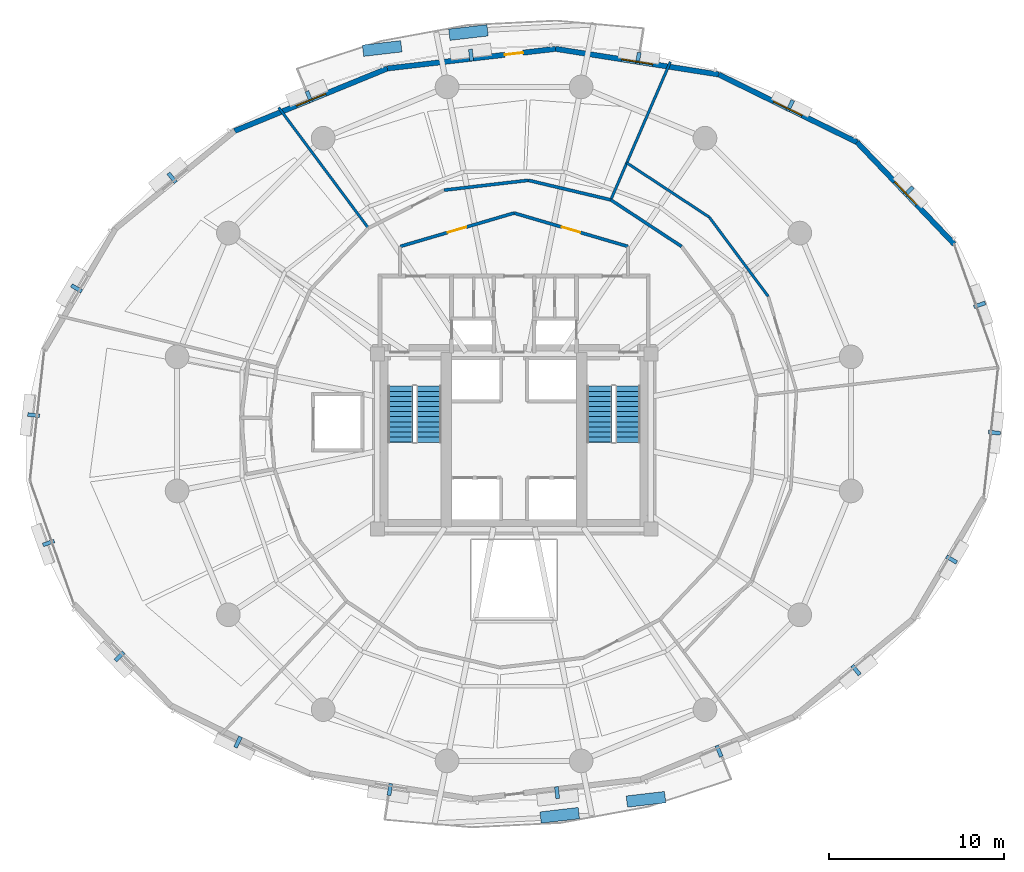
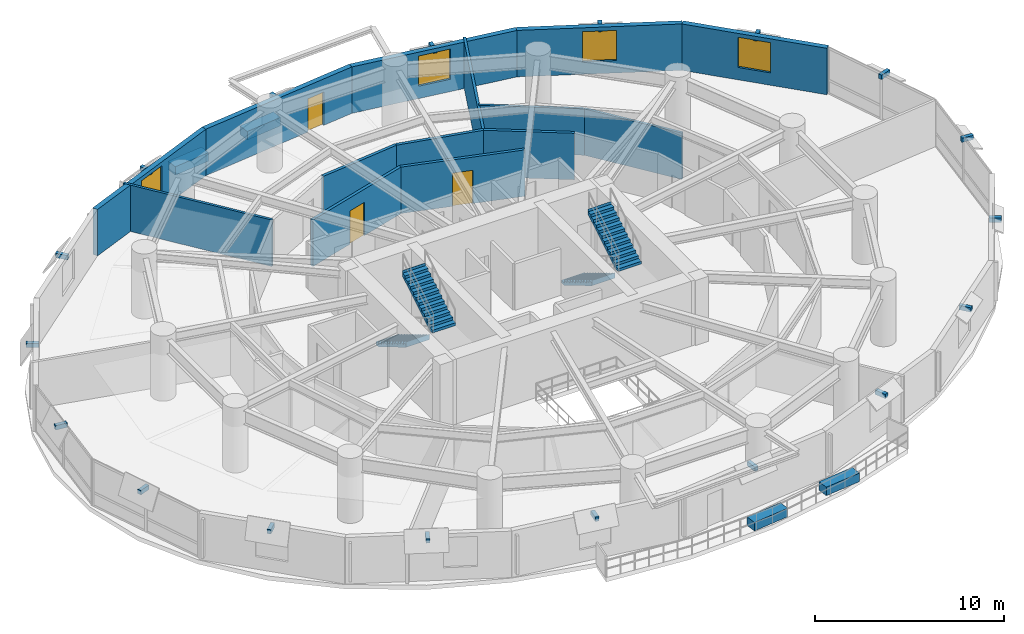
# One storey, part 14 of 17: 22 discrete accessories, 14 walls, 4 stair flights, 4 windows, 3 doors, 7 openings, 2 elements without a shape of their own.
"""IFC4 building model written with IfcOpenShell, lengths in metres."""

from ifc_helpers import new_model, si_unit, direction, frame, frame_2d, origin, origin_2d, place, context, subcontext, project, spatial, polyline, rectangle, outline, extrude, material, layer, layer_set, type_object, element, fill, aggregate, save


model = new_model("IFC4")

# Units and contexts
model_context = context("Model", 3, precision=1e-05, world=origin(), true_north=direction((0.0, 1.0)))
body_context = subcontext(model_context, "Body", "Model", "MODEL_VIEW")
ifc_project = project(units=[si_unit("LENGTHUNIT", "METRE"), si_unit("AREAUNIT", "SQUARE_METRE"), si_unit("VOLUMEUNIT", "CUBIC_METRE"), si_unit("PLANEANGLEUNIT", "RADIAN"), si_unit("MASSUNIT", "GRAM", prefix="KILO"), si_unit("THERMODYNAMICTEMPERATUREUNIT", "KELVIN"), si_unit("POWERUNIT", "WATT")], contexts=[model_context])

# Site, building, storey
site_placement = place(None, origin())
site = spatial("IfcSite", under=ifc_project, at=site_placement, CompositionType="ELEMENT")
building_placement = place(site_placement, origin())
building = spatial("IfcBuilding", under=site, at=building_placement, Name="Ocrelia Relay Tower", CompositionType="ELEMENT")
storey_placement = place(building_placement, frame((0.0, 0.0, 59.39990234375)))
storey = spatial("IfcBuildingStorey", under=building, at=storey_placement, Name="L13", CompositionType="ELEMENT", Elevation=59.39990234375)

# Wall, opening, door
ifc_material_1 = material(Name="Gypsum Fireboard Partition EI60", Category="gypsum")
ifc_layer_1 = layer(ifc_material_1, 0.179931640625, Name="Gypsum Fireboard Partition EI60")
ifc_layer_set_1 = layer_set([ifc_layer_1], Name="Gypsum Fireboard Partition EI60")
wall_type_1 = type_object("IfcWallType", Name="W-CORR-EI60-180", PredefinedType="PARTITIONING", material=ifc_layer_set_1)
wall_1_placement = place(storey_placement, frame((27.5, 36.122802734375, 0.0), z_axis=(0.0, 0.0, 1.0), x_axis=(0.959546654541, 0.281549671923, 0.0)))
wall_1 = element("IfcWall", 1, at=wall_1_placement, inside=storey, type_object=wall_type_1, Name="L13 North Smoke Lobby W Screen Wall", PredefinedType="PARTITIONING", context=body_context, shape_type="SweptSolid", body=[
    extrude(rectangle(XDim=6.77392578125, YDim=0.179931640625, at=frame_2d((3.386962890625, 0.0))), origin(), (0.0, 0.0, 1.0), 3.0),
])
opening_1_placement = place(wall_1_placement, frame((2.8369140625, 0.0, 0.0)))
opening_1 = element("IfcOpeningElement", 2, at=opening_1_placement, cuts=wall_1, Name="Opening D-FD60", PredefinedType="OPENING", context=body_context, shape_type="SweptSolid", body=[
    extrude(rectangle(XDim=1.10009765625, YDim=2.14990234375, at=frame_2d((0.550048828125, 1.074951171875))), frame((0.0, 0.10009765625, 0.0), z_axis=(0.0, -1.0, 0.0), x_axis=(1.0, 0.0, 0.0)), (0.0, 0.0, 1.0), 0.199951171875),
])
ifc_material_2 = material(Name="Timber-core 60-min acoustic fire door", Category="wood")
door_type_1 = type_object("IfcDoorType", Name="DR-LOBBY-FD60-1100", OperationType="NOTDEFINED", PredefinedType="DOOR", material=ifc_material_2)
door_1_placement = place(opening_1_placement, origin())
door_1 = element("IfcDoor", 3, at=door_1_placement, inside=storey, type_object=door_type_1, Name="L13 North Smoke Lobby W Fire Door", OperationType="SINGLE_SWING_RIGHT", OverallHeight=2.14990234375, OverallWidth=1.10009765625, PredefinedType="DOOR", context=body_context, shape_type="SweptSolid", body=[
    extrude(rectangle(XDim=1.10009765625, YDim=2.14990234375, at=frame_2d((0.550048828125, 1.074951171875))), frame((0.0, 0.02490234375, 0.0), z_axis=(0.0, -1.0, 0.0), x_axis=(1.0, 0.0, 0.0)), (0.0, 0.0, 1.0), 0.050048828125),
])
fill(opening_1, door_1)

wall_2_placement = place(storey_placement, frame((34.0, 38.030029296875, 0.0), z_axis=(0.0, 0.0, 1.0), x_axis=(0.959546654541, -0.281549671923, 0.0)))
wall_2 = element("IfcWall", 4, at=wall_2_placement, inside=storey, type_object=wall_type_1, Name="L13 North Smoke Lobby E Screen Wall", PredefinedType="PARTITIONING", context=body_context, shape_type="SweptSolid", body=[
    extrude(rectangle(XDim=6.77392578125, YDim=0.179931640625, at=frame_2d((3.386962890625, 0.0))), origin(), (0.0, 0.0, 1.0), 3.0),
])
opening_2_placement = place(wall_2_placement, frame((2.8369140625, 0.0, 0.0)))
opening_2 = element("IfcOpeningElement", 5, at=opening_2_placement, cuts=wall_2, Name="Opening D-FD60", PredefinedType="OPENING", context=body_context, shape_type="SweptSolid", body=[
    extrude(rectangle(XDim=1.10009765625, YDim=2.14990234375, at=frame_2d((0.550048828125, 1.074951171875))), frame((0.0, 0.10009765625, 0.0), z_axis=(0.0, -1.0, 0.0), x_axis=(1.0, 0.0, 0.0)), (0.0, 0.0, 1.0), 0.199951171875),
])
door_2_placement = place(opening_2_placement, origin())
door_2 = element("IfcDoor", 6, at=door_2_placement, inside=storey, type_object=door_type_1, Name="L13 North Smoke Lobby E Fire Door", OperationType="SINGLE_SWING_LEFT", OverallHeight=2.14990234375, OverallWidth=1.10009765625, PredefinedType="DOOR", context=body_context, shape_type="SweptSolid", body=[
    extrude(rectangle(XDim=1.10009765625, YDim=2.14990234375, at=frame_2d((0.550048828125, 1.074951171875))), frame((0.0, 0.02490234375, 0.0), z_axis=(0.0, -1.0, 0.0), x_axis=(1.0, 0.0, 0.0)), (0.0, 0.0, 1.0), 0.050048828125),
])
fill(opening_2, door_2)

# Walls
wall_3_placement = place(storey_placement, frame((43.555419921875, 36.122314453125, 0.0), z_axis=(0.0, 0.0, 1.0), x_axis=(-0.835329812405, 0.549749128701, 0.0)))
element("IfcWall", 7, at=wall_3_placement, inside=storey, type_object=wall_type_1, Name="L13 Staff Wellness Room Corridor Partition 3", PredefinedType="PARTITIONING", context=body_context, shape_type="SweptSolid", body=[
    extrude(rectangle(XDim=4.83447265625, YDim=0.179931640625, at=frame_2d((2.417236328125, 0.0))), origin(), (0.0, 0.0, 1.0), 3.0),
])
for number, where, z_axis, x_axis, name in (
    (8, (39.51708984375, 38.780029296875, 0.0), (0.0, 0.0, 1.0), (-0.97297826036, 0.230896740702, 0.0), "L13 Shift Staff Lounge Corridor Partition 1"),
    (9, (34.8134765625, 39.896240234375, 0.0), (0.0, 0.0, 1.0), (-0.99327243633, -0.115800981112, 0.0), "L13 Shift Staff Lounge Corridor Partition 2"),
):
    element("IfcWall", number, at=place(storey_placement, frame(where, z_axis=z_axis, x_axis=x_axis)), inside=storey, type_object=wall_type_1, Name=name, PredefinedType="PARTITIONING", context=body_context, shape_type="SweptSolid", body=[
        extrude(rectangle(XDim=4.834228515625, YDim=0.179931640625, at=frame_2d((2.4169921875, 0.0))), origin(), (0.0, 0.0, 1.0), 3.0),
    ])

# Wall, opening, window
ifc_material_3 = material(Name="Precast concrete C40/50 with oxide terracotta", Category="masonry")
ifc_layer_2 = layer(ifc_material_3, 0.300048828125, Name="Precast concrete C40/50 with oxide terracotta")
ifc_layer_set_2 = layer_set([ifc_layer_2], Name="Precast concrete C40/50 with oxide terracotta")
wall_type_2 = type_object("IfcWallType", Name="W-EXT-TERR-300", PredefinedType="SOLIDWALL", material=ifc_layer_set_2)
wall_4_placement = place(storey_placement, frame((59.10400390625, 36.26123046875, 0.0), z_axis=(0.0, 0.0, 1.0), x_axis=(-0.690246968725, 0.723573853982, 0.0)))
wall_4 = element("IfcWall", 10, at=wall_4_placement, inside=storey, type_object=wall_type_2, Name="L13 Oxide Terracotta Facade Wall 02", PredefinedType="SOLIDWALL", context=body_context, shape_type="SweptSolid", body=[
    extrude(rectangle(XDim=8.021484375, YDim=0.300048828125, at=frame_2d((4.0107421875, 0.0))), origin(), (0.0, 0.0, 1.0), 3.0),
])
opening_3_placement = place(wall_4_placement, frame((3.111083984375, 0.0, 0.800048828125)))
opening_3 = element("IfcOpeningElement", 11, at=opening_3_placement, cuts=wall_4, Name="Opening W-02", PredefinedType="OPENING", context=body_context, shape_type="SweptSolid", body=[
    extrude(rectangle(XDim=1.800048828125, YDim=1.949951171875, at=frame_2d((0.89990234375, 0.97509765625))), frame((0.0, 0.16015625, 0.0), z_axis=(0.0, -1.0, 0.0), x_axis=(1.0, 0.0, 0.0)), (0.0, 0.0, 1.0), 0.320068359375),
])
ifc_material_4 = material(Name="Clear double-glazed low-E glass", Category="glass")
window_type = type_object("IfcWindowType", Name="WIN-Z1-1800x2100", PartitioningType="DOUBLE_PANEL_VERTICAL", PredefinedType="WINDOW", material=ifc_material_4)
window_1_placement = place(opening_3_placement, origin())
window_1 = element("IfcWindow", 12, at=window_1_placement, inside=storey, type_object=window_type, Name="L13 Facade Module Window 02", OverallHeight=1.949951171875, OverallWidth=1.800048828125, PartitioningType="SINGLE_PANEL", PredefinedType="WINDOW", context=body_context, shape_type="SweptSolid", body=[
    extrude(rectangle(XDim=1.800048828125, YDim=1.949951171875, at=frame_2d((0.89990234375, 0.97509765625))), frame((0.0, 0.030029296875, 0.0), z_axis=(0.0, -1.0, 0.0), x_axis=(1.0, 0.0, 0.0)), (0.0, 0.0, 1.0), 0.06005859375),
])
fill(opening_3, window_1)

wall_5_placement = place(storey_placement, frame((53.567138671875, 42.0654296875, 0.0), z_axis=(0.0, 0.0, 1.0), x_axis=(-0.898122468158, 0.439745417475, 0.0)))
wall_5 = element("IfcWall", 13, at=wall_5_placement, inside=storey, type_object=wall_type_2, Name="L13 Oxide Terracotta Facade Wall 03", PredefinedType="SOLIDWALL", context=body_context, shape_type="SweptSolid", body=[
    extrude(rectangle(XDim=8.79248046875, YDim=0.300048828125, at=frame_2d((4.396240234375, 0.0))), origin(), (0.0, 0.0, 1.0), 3.0),
])
opening_4_placement = place(wall_5_placement, frame((3.49609375, 0.0, 0.800048828125)))
opening_4 = element("IfcOpeningElement", 14, at=opening_4_placement, cuts=wall_5, Name="Opening W-02", PredefinedType="OPENING", context=body_context, shape_type="SweptSolid", body=[
    extrude(rectangle(XDim=1.800048828125, YDim=1.949951171875, at=frame_2d((0.89990234375, 0.97509765625))), frame((0.0, 0.16015625, 0.0), z_axis=(0.0, -1.0, 0.0), x_axis=(1.0, 0.0, 0.0)), (0.0, 0.0, 1.0), 0.320068359375),
])
window_2_placement = place(opening_4_placement, origin())
window_2 = element("IfcWindow", 15, at=window_2_placement, inside=storey, type_object=window_type, Name="L13 Facade Module Window 03", OverallHeight=1.949951171875, OverallWidth=1.800048828125, PartitioningType="SINGLE_PANEL", PredefinedType="WINDOW", context=body_context, shape_type="SweptSolid", body=[
    extrude(rectangle(XDim=1.800048828125, YDim=1.949951171875, at=frame_2d((0.89990234375, 0.97509765625))), frame((0.0, 0.030029296875, 0.0), z_axis=(0.0, -1.0, 0.0), x_axis=(1.0, 0.0, 0.0)), (0.0, 0.0, 1.0), 0.06005859375),
])
fill(opening_4, window_2)

wall_6_placement = place(storey_placement, frame((45.67041015625, 45.931884765625, 0.0), z_axis=(0.0, 0.0, 1.0), x_axis=(-0.987873263645, 0.155262406833, 0.0)))
wall_6 = element("IfcWall", 16, at=wall_6_placement, inside=storey, type_object=wall_type_2, Name="L13 Oxide Terracotta Facade Wall 04", PredefinedType="SOLIDWALL", context=body_context, shape_type="SweptSolid", body=[
    extrude(rectangle(XDim=9.4189453125, YDim=0.300048828125, at=frame_2d((4.70947265625, 0.0))), origin(), (0.0, 0.0, 1.0), 3.0),
])
opening_5_placement = place(wall_6_placement, frame((3.80908203125, 0.0, 0.800048828125)))
opening_5 = element("IfcOpeningElement", 17, at=opening_5_placement, cuts=wall_6, Name="Opening W-02", PredefinedType="OPENING", context=body_context, shape_type="SweptSolid", body=[
    extrude(rectangle(XDim=1.800048828125, YDim=1.949951171875, at=frame_2d((0.89990234375, 0.97509765625))), frame((0.0, 0.16015625, 0.0), z_axis=(0.0, -1.0, 0.0), x_axis=(1.0, 0.0, 0.0)), (0.0, 0.0, 1.0), 0.320068359375),
])
window_3_placement = place(opening_5_placement, origin())
window_3 = element("IfcWindow", 18, at=window_3_placement, inside=storey, type_object=window_type, Name="L13 Facade Module Window 04", OverallHeight=1.949951171875, OverallWidth=1.800048828125, PartitioningType="SINGLE_PANEL", PredefinedType="WINDOW", context=body_context, shape_type="SweptSolid", body=[
    extrude(rectangle(XDim=1.800048828125, YDim=1.949951171875, at=frame_2d((0.89990234375, 0.97509765625))), frame((0.0, 0.030029296875, 0.0), z_axis=(0.0, -1.0, 0.0), x_axis=(1.0, 0.0, 0.0)), (0.0, 0.0, 1.0), 0.06005859375),
])
fill(opening_5, window_3)

# Wall, opening, door
wall_7_placement = place(storey_placement, frame((36.36572265625, 47.394287109375, 0.0), z_axis=(0.0, 0.0, 1.0), x_axis=(-0.993270898265, -0.115814172965, 0.0)))
wall_7 = element("IfcWall", 19, at=wall_7_placement, inside=storey, type_object=wall_type_2, Name="L13 Oxide Terracotta Facade Wall 05", PredefinedType="SOLIDWALL", context=body_context, shape_type="SweptSolid", body=[
    extrude(rectangle(XDim=9.65478515625, YDim=0.300048828125, at=frame_2d((4.827392578125, 0.0))), origin(), (0.0, 0.0, 1.0), 3.0),
])
opening_6_placement = place(wall_7_placement, frame((1.8701171875, 0.0, 0.0)))
opening_6 = element("IfcOpeningElement", 20, at=opening_6_placement, cuts=wall_7, Name="Opening DB-105", PredefinedType="OPENING", context=body_context, shape_type="SweptSolid", body=[
    extrude(rectangle(XDim=1.050048828125, YDim=2.14990234375, at=frame_2d((0.52490234375, 1.074951171875))), frame((0.0, 0.16015625, 0.0), z_axis=(0.0, -1.0, 0.0), x_axis=(1.0, 0.0, 0.0)), (0.0, 0.0, 1.0), 0.320068359375),
])
ifc_material_5 = material(Name="Thermally broken aluminium and clear glass", Category="aluminium")
door_type_2 = type_object("IfcDoorType", Name="DR-BALC-1050", OperationType="NOTDEFINED", PredefinedType="DOOR", material=ifc_material_5)
door_3_placement = place(opening_6_placement, origin())
door_3 = element("IfcDoor", 21, at=door_3_placement, inside=storey, type_object=door_type_2, Name="L13 Planted Loggia Balcony Door B1", OperationType="SINGLE_SWING_LEFT", OverallHeight=2.14990234375, OverallWidth=1.050048828125, PredefinedType="DOOR", context=body_context, shape_type="SweptSolid", body=[
    extrude(rectangle(XDim=1.050048828125, YDim=2.14990234375, at=frame_2d((0.52490234375, 1.074951171875))), frame((0.0, 0.02490234375, 0.0), z_axis=(0.0, -1.0, 0.0), x_axis=(1.0, 0.0, 0.0)), (0.0, 0.0, 1.0), 0.050048828125),
])
fill(opening_6, door_3)

# Wall, opening, window
wall_8_placement = place(storey_placement, frame((26.77587890625, 46.276123046875, 0.0), z_axis=(0.0, 0.0, 1.0), x_axis=(-0.925665413504, -0.378343154084, 0.0)))
wall_8 = element("IfcWall", 22, at=wall_8_placement, inside=storey, type_object=wall_type_2, Name="L13 Oxide Terracotta Facade Wall 06", PredefinedType="SOLIDWALL", context=body_context, shape_type="SweptSolid", body=[
    extrude(rectangle(XDim=9.418701171875, YDim=0.300048828125, at=frame_2d((4.70947265625, 0.0))), origin(), (0.0, 0.0, 1.0), 3.0),
])
opening_7_placement = place(wall_8_placement, frame((3.80908203125, 0.0, 0.800048828125)))
opening_7 = element("IfcOpeningElement", 23, at=opening_7_placement, cuts=wall_8, Name="Opening W-02", PredefinedType="OPENING", context=body_context, shape_type="SweptSolid", body=[
    extrude(rectangle(XDim=1.800048828125, YDim=1.949951171875, at=frame_2d((0.89990234375, 0.97509765625))), frame((0.0, 0.16015625, 0.0), z_axis=(0.0, -1.0, 0.0), x_axis=(1.0, 0.0, 0.0)), (0.0, 0.0, 1.0), 0.320068359375),
])
window_4_placement = place(opening_7_placement, origin())
window_4 = element("IfcWindow", 24, at=window_4_placement, inside=storey, type_object=window_type, Name="L13 Facade Module Window 06", OverallHeight=1.949951171875, OverallWidth=1.800048828125, PartitioningType="SINGLE_PANEL", PredefinedType="WINDOW", context=body_context, shape_type="SweptSolid", body=[
    extrude(rectangle(XDim=1.800048828125, YDim=1.949951171875, at=frame_2d((0.89990234375, 0.97509765625))), frame((0.0, 0.030029296875, 0.0), z_axis=(0.0, -1.0, 0.0), x_axis=(1.0, 0.0, 0.0)), (0.0, 0.0, 1.0), 0.06005859375),
])
fill(opening_7, window_4)

# Walls
ifc_material_6 = material(Name="Acoustic Fireboard Partition EI60", Category="gypsum")
ifc_layer_3 = layer(ifc_material_6, 0.14990234375, Name="Acoustic Fireboard Partition EI60")
ifc_layer_set_3 = layer_set([ifc_layer_3], Name="Acoustic Fireboard Partition EI60")
wall_type_3 = type_object("IfcWallType", Name="W-PART-150", PredefinedType="PARTITIONING", material=ifc_layer_set_3)
wall_9_placement = place(storey_placement, frame((39.51708984375, 38.780029296875, 0.0), z_axis=(0.0, 0.0, 1.0), x_axis=(0.396341092722, 0.918103337441, 0.0)))
element("IfcWall", 25, at=wall_9_placement, inside=storey, type_object=wall_type_3, Name="L13 Staff Wellness Room Radial Partition", PredefinedType="PARTITIONING", context=body_context, shape_type="SweptSolid", body=[
    extrude(rectangle(XDim=8.57275390625, YDim=0.14990234375, at=frame_2d((4.286376953125, 0.0))), origin(), (0.0, 0.0, 1.0), 3.0),
])
wall_10_placement = place(storey_placement, frame((48.496826171875, 33.275390625, 0.0), z_axis=(0.0, 0.0, 1.0), x_axis=(-0.596916709322, 0.802303210845, 0.0)))
element("IfcWall", 26, at=wall_10_placement, inside=storey, type_object=wall_type_3, Name="L13 Perimeter Staff Wellness Room Mid-Ring Partition 2", PredefinedType="PARTITIONING", context=body_context, shape_type="SweptSolid", body=[
    extrude(rectangle(XDim=5.63330078125, YDim=0.14990234375, at=frame_2d((2.816650390625, 0.0))), origin(), (0.0, 0.0, 1.0), 3.0),
])
wall_11_placement = place(storey_placement, frame((45.13427734375, 37.794921875, 0.0), z_axis=(0.0, 0.0, 1.0), x_axis=(-0.835342710948, 0.549729529193, 0.0)))
element("IfcWall", 27, at=wall_11_placement, inside=storey, type_object=wall_type_3, Name="L13 Perimeter Staff Wellness Room Mid-Ring Partition 3", PredefinedType="PARTITIONING", context=body_context, shape_type="SweptSolid", body=[
    extrude(rectangle(XDim=5.633056640625, YDim=0.14990234375, at=frame_2d((2.81640625, 0.0))), origin(), (0.0, 0.0, 1.0), 3.0),
])
wall_12_placement = place(storey_placement, frame((25.69091796875, 37.16796875, 0.0), z_axis=(0.0, 0.0, 1.0), x_axis=(-0.596933618422, 0.802290630132, 0.0)))
element("IfcWall", 28, at=wall_12_placement, inside=storey, type_object=wall_type_3, Name="L13 Shift Staff Lounge Radial Partition", PredefinedType="PARTITIONING", context=body_context, shape_type="SweptSolid", body=[
    extrude(rectangle(XDim=8.57275390625, YDim=0.14990234375, at=frame_2d((4.286376953125, 0.0))), origin(), (0.0, 0.0, 1.0), 3.0),
])

# Stair, stair flights
ifc_material_7 = material(Name="Concrete C50/60", Category="concrete")
stair_type = type_object("IfcStairType", Name="ST-DL-1420-R175", PredefinedType="HALF_TURN_STAIR", material=ifc_material_7)
stair_1_placement = place(storey_placement, origin())
stair_1 = element("IfcStair", 29, at=stair_1_placement, inside=storey, type_object=stair_type, Name="L13 West Core Exit Stair ST1", PredefinedType="HALF_TURN_STAIR")
stair_flight_type = type_object("IfcStairFlightType", Name="STF-DL-1420-R175", PredefinedType="STRAIGHT", material=ifc_material_7)
stair_flight_1_placement = place(storey_placement, frame((27.52001953125, 28.14990234375, 0.0), z_axis=(0.0, 0.0, 1.0), x_axis=(0.0, -1.0, 0.0)))
stair_flight_1 = element("IfcStairFlight", 30, at=stair_flight_1_placement, type_object=stair_flight_type, Name="ST1 flight 1", NumberOfRisers=12, NumberOfTreads=11, PredefinedType="STRAIGHT", RiserHeight=0.175, TreadLength=0.29, context=body_context, shape_type="SweptSolid", body=[
    extrude(outline(polyline([(-0.008056640625, 0.0), (-0.008056640625, 0.175048828125), (0.0, 0.175048828125), (0.2900390625, 0.175048828125), (0.2900390625, 0.35009765625), (0.580078125, 0.35009765625), (0.580078125, 0.52490234375), (0.8701171875, 0.52490234375), (0.8701171875, 0.699951171875), (1.159912109375, 0.699951171875), (1.159912109375, 0.875), (1.449951171875, 0.875), (1.449951171875, 1.050048828125), (1.739990234375, 1.050048828125), (1.739990234375, 1.22509765625), (2.030029296875, 1.22509765625), (2.030029296875, 1.39990234375), (2.320068359375, 1.39990234375), (2.320068359375, 1.574951171875), (2.610107421875, 1.574951171875), (2.610107421875, 1.75), (2.89990234375, 1.75), (2.89990234375, 1.925048828125), (3.18994140625, 1.925048828125), (3.18994140625, 2.10009765625), (3.197998046875, 2.10009765625), (3.197998046875, 1.75), (0.2900390625, 0.0), (-0.008056640625, 0.0)])), frame((0.0, 0.7099609375, 0.0), z_axis=(0.0, -1.0, 0.0), x_axis=(1.0, 0.0, 0.0)), (0.0, 0.0, 1.0), 1.419921875),
])
stair_flight_2_placement = place(storey_placement, frame((29.139892578125, 24.9599609375, 2.10009765625), z_axis=(0.0, 0.0, 1.0), x_axis=(0.0, 1.0, 0.0)))
stair_flight_2 = element("IfcStairFlight", 31, at=stair_flight_2_placement, type_object=stair_flight_type, Name="ST1 flight 2", NumberOfRisers=12, NumberOfTreads=11, PredefinedType="STRAIGHT", RiserHeight=0.175, TreadLength=0.29, context=body_context, shape_type="SweptSolid", body=[
    extrude(outline(polyline([(-0.008056640625, 0.0), (-0.008056640625, 0.175048828125), (0.0, 0.175048828125), (0.2900390625, 0.175048828125), (0.2900390625, 0.35009765625), (0.580078125, 0.35009765625), (0.580078125, 0.52490234375), (0.8701171875, 0.52490234375), (0.8701171875, 0.699951171875), (1.159912109375, 0.699951171875), (1.159912109375, 0.875), (1.449951171875, 0.875), (1.449951171875, 1.050048828125), (1.739990234375, 1.050048828125), (1.739990234375, 1.22509765625), (2.030029296875, 1.22509765625), (2.030029296875, 1.39990234375), (2.320068359375, 1.39990234375), (2.320068359375, 1.574951171875), (2.610107421875, 1.574951171875), (2.610107421875, 1.75), (2.89990234375, 1.75), (2.89990234375, 1.925048828125), (3.18994140625, 1.925048828125), (3.18994140625, 2.10009765625), (3.197998046875, 2.10009765625), (3.197998046875, 1.75), (0.2900390625, 0.0), (-0.008056640625, 0.0)])), frame((0.0, 0.7099609375, 0.0), z_axis=(0.0, -1.0, 0.0), x_axis=(1.0, 0.0, 0.0)), (0.0, 0.0, 1.0), 1.419921875),
])
aggregate(stair_1, [stair_flight_1, stair_flight_2])

stair_2_placement = place(storey_placement, origin())
stair_2 = element("IfcStair", 32, at=stair_2_placement, inside=storey, type_object=stair_type, Name="L13 East Core Exit Stair ST2", PredefinedType="HALF_TURN_STAIR")
stair_flight_3_placement = place(storey_placement, frame((38.8701171875, 28.14990234375, 0.0), z_axis=(0.0, 0.0, 1.0), x_axis=(0.0, -1.0, 0.0)))
stair_flight_3 = element("IfcStairFlight", 33, at=stair_flight_3_placement, type_object=stair_flight_type, Name="ST2 flight 1", NumberOfRisers=12, NumberOfTreads=11, PredefinedType="STRAIGHT", RiserHeight=0.175, TreadLength=0.29, context=body_context, shape_type="SweptSolid", body=[
    extrude(outline(polyline([(-0.008056640625, 0.0), (-0.008056640625, 0.175048828125), (0.0, 0.175048828125), (0.2900390625, 0.175048828125), (0.2900390625, 0.35009765625), (0.580078125, 0.35009765625), (0.580078125, 0.52490234375), (0.8701171875, 0.52490234375), (0.8701171875, 0.699951171875), (1.159912109375, 0.699951171875), (1.159912109375, 0.875), (1.449951171875, 0.875), (1.449951171875, 1.050048828125), (1.739990234375, 1.050048828125), (1.739990234375, 1.22509765625), (2.030029296875, 1.22509765625), (2.030029296875, 1.39990234375), (2.320068359375, 1.39990234375), (2.320068359375, 1.574951171875), (2.610107421875, 1.574951171875), (2.610107421875, 1.75), (2.89990234375, 1.75), (2.89990234375, 1.925048828125), (3.18994140625, 1.925048828125), (3.18994140625, 2.10009765625), (3.197998046875, 2.10009765625), (3.197998046875, 1.75), (0.2900390625, 0.0), (-0.008056640625, 0.0)])), frame((0.0, 0.7099609375, 0.0), z_axis=(0.0, -1.0, 0.0), x_axis=(1.0, 0.0, 0.0)), (0.0, 0.0, 1.0), 1.419921875),
])
stair_flight_4_placement = place(storey_placement, frame((40.489990234375, 24.9599609375, 2.10009765625), z_axis=(0.0, 0.0, 1.0), x_axis=(0.0, 1.0, 0.0)))
stair_flight_4 = element("IfcStairFlight", 34, at=stair_flight_4_placement, type_object=stair_flight_type, Name="ST2 flight 2", NumberOfRisers=12, NumberOfTreads=11, PredefinedType="STRAIGHT", RiserHeight=0.175, TreadLength=0.29, context=body_context, shape_type="SweptSolid", body=[
    extrude(outline(polyline([(-0.008056640625, 0.0), (-0.008056640625, 0.175048828125), (0.0, 0.175048828125), (0.2900390625, 0.175048828125), (0.2900390625, 0.35009765625), (0.580078125, 0.35009765625), (0.580078125, 0.52490234375), (0.8701171875, 0.52490234375), (0.8701171875, 0.699951171875), (1.159912109375, 0.699951171875), (1.159912109375, 0.875), (1.449951171875, 0.875), (1.449951171875, 1.050048828125), (1.739990234375, 1.050048828125), (1.739990234375, 1.22509765625), (2.030029296875, 1.22509765625), (2.030029296875, 1.39990234375), (2.320068359375, 1.39990234375), (2.320068359375, 1.574951171875), (2.610107421875, 1.574951171875), (2.610107421875, 1.75), (2.89990234375, 1.75), (2.89990234375, 1.925048828125), (3.18994140625, 1.925048828125), (3.18994140625, 2.10009765625), (3.197998046875, 2.10009765625), (3.197998046875, 1.75), (0.2900390625, 0.0), (-0.008056640625, 0.0)])), frame((0.0, 0.7099609375, 0.0), z_axis=(0.0, -1.0, 0.0), x_axis=(1.0, 0.0, 0.0)), (0.0, 0.0, 1.0), 1.419921875),
])
aggregate(stair_2, [stair_flight_3, stair_flight_4])

# Discrete accessories
ifc_material_8 = material(Name="Precast concrete C40/50 planter with highland greenery", Category="concrete")
discrete_accessory_type_1 = type_object("IfcDiscreteAccessoryType", Name="ACC-BALC-PLANTER", PredefinedType="USERDEFINED", material=ifc_material_8)
for number, where, z_axis, x_axis, name in (
    (35, (31.39697265625, 48.326171875, 0.0), (0.0, 0.0, 1.0), (0.9932729669, 0.115796430108, 0.0), "L13 Balcony Terracotta Planter with Greenery B1"),
    (36, (26.475830078125, 47.414794921875, 0.0), (0.0, 0.0, 1.0), (0.9932729669, 0.115796430108, 0.0), "L13 Balcony Terracotta Planter B1-2"),
    (37, (36.60302734375, 3.673828125, 0.0), (0.0, 0.0, 1.0), (-0.9932729669, -0.115796430108, 0.0), "L13 Balcony Terracotta Planter with Greenery B2"),
    (38, (41.524169921875, 4.585205078125, 0.0), (0.0, 0.0, 1.0), (-0.9932729669, -0.115796430108, 0.0), "L13 Balcony Terracotta Planter B2-2"),
):
    element("IfcDiscreteAccessory", number, at=place(storey_placement, frame(where, z_axis=z_axis, x_axis=x_axis)), inside=storey, type_object=discrete_accessory_type_1, Name=name, ObjectType="PLANTER", PredefinedType="USERDEFINED", context=body_context, shape_type="SweptSolid", body=[
        extrude(rectangle(XDim=2.199951171875, YDim=0.64990234375, at=origin_2d()), origin(), (0.0, 0.0, 1.0), 0.550048828125),
    ])
ifc_material_9 = material(Name="Steel S355", Category="steel")
discrete_accessory_type_2 = type_object("IfcDiscreteAccessoryType", Name="ACC-VISOR-BRACKET", PredefinedType="BRACKET", material=ifc_material_9)
for number, where, z_axis, x_axis, name in (
    (39, (60.55224609375, 32.789794921875, 2.7001953125), (0.0, 0.0, 1.0), (-0.335621072702, 0.941997078317, 0.0), "L13 Visor Mounting Bracket 01"),
    (40, (56.508056640625, 39.264892578125, 2.7001953125), (0.0, 0.0, 1.0), (-0.690249189183, 0.723571735788, 0.0), "L13 Visor Mounting Bracket 02"),
    (41, (49.749755859375, 44.149658203125, 2.7001953125), (0.0, 0.0, 1.0), (-0.898124221802, 0.439741835867, 0.0), "L13 Visor Mounting Bracket 03"),
    (42, (41.08251953125, 46.8525390625, 2.7001953125), (0.0, 0.0, 1.0), (-0.987872821917, 0.155265217345, 0.0), "L13 Visor Mounting Bracket 04"),
    (43, (31.547607421875, 47.033935546875, 2.7001953125), (0.0, 0.0, 1.0), (-0.993271739669, -0.115806956502, 0.0), "L13 Visor Mounting Bracket 05"),
    (44, (22.310546875, 44.663818359375, 2.7001953125), (0.0, 0.0, 1.0), (-0.92566073455, -0.378354601547, 0.0), "L13 Visor Mounting Bracket 06"),
    (45, (14.497314453125, 40.039794921875, 2.7001953125), (0.0, 0.0, 1.0), (-0.772875849251, -0.634557264275, 0.0), "L13 Visor Mounting Bracket 07"),
    (46, (9.044189453125, 33.731201171875, 2.7001953125), (0.0, 0.0, 1.0), (-0.5052648016, -0.862964356311, 0.0), "L13 Visor Mounting Bracket 08"),
    (47, (6.597900390625, 26.499267578125, 2.7001953125), (0.0, 0.0, 1.0), (-0.109919105663, -0.993940536557, 0.0), "L13 Visor Mounting Bracket 09"),
    (48, (7.44775390625, 19.210205078125, 2.7001953125), (0.0, 0.0, 1.0), (0.335621072702, -0.941997078317, 0.0), "L13 Visor Mounting Bracket 10"),
    (49, (11.491943359375, 12.735107421875, 2.7001953125), (0.0, 0.0, 1.0), (0.690249189183, -0.723571735788, 0.0), "L13 Visor Mounting Bracket 11"),
    (50, (18.250244140625, 7.850341796875, 2.7001953125), (0.0, 0.0, 1.0), (0.898124221802, -0.439741835867, 0.0), "L13 Visor Mounting Bracket 12"),
    (51, (26.91748046875, 5.1474609375, 2.7001953125), (0.0, 0.0, 1.0), (0.987872821917, -0.155265217345, 0.0), "L13 Visor Mounting Bracket 13"),
    (52, (36.452392578125, 4.966064453125, 2.7001953125), (0.0, 0.0, 1.0), (0.993271739669, 0.115806956502, 0.0), "L13 Visor Mounting Bracket 14"),
    (53, (45.689453125, 7.336181640625, 2.7001953125), (0.0, 0.0, 1.0), (0.92566073455, 0.378354601547, 0.0), "L13 Visor Mounting Bracket 15"),
    (54, (53.502685546875, 11.960205078125, 2.7001953125), (0.0, 0.0, 1.0), (0.772875849251, 0.634557264275, 0.0), "L13 Visor Mounting Bracket 16"),
    (55, (58.955810546875, 18.268798828125, 2.7001953125), (0.0, 0.0, 1.0), (0.5052648016, 0.862964356311, 0.0), "L13 Visor Mounting Bracket 17"),
    (56, (61.402099609375, 25.500732421875, 2.7001953125), (0.0, 0.0, 1.0), (0.109919105663, 0.993940536557, 0.0), "L13 Visor Mounting Bracket 18"),
):
    element("IfcDiscreteAccessory", number, at=place(storey_placement, frame(where, z_axis=z_axis, x_axis=x_axis)), inside=storey, type_object=discrete_accessory_type_2, Name=name, PredefinedType="BRACKET", context=body_context, shape_type="SweptSolid", body=[
        extrude(rectangle(XDim=0.219970703125, YDim=0.679931640625, at=origin_2d()), origin(), (0.0, 0.0, 1.0), 0.280029296875),
    ])

save(model, "model.ifc")
